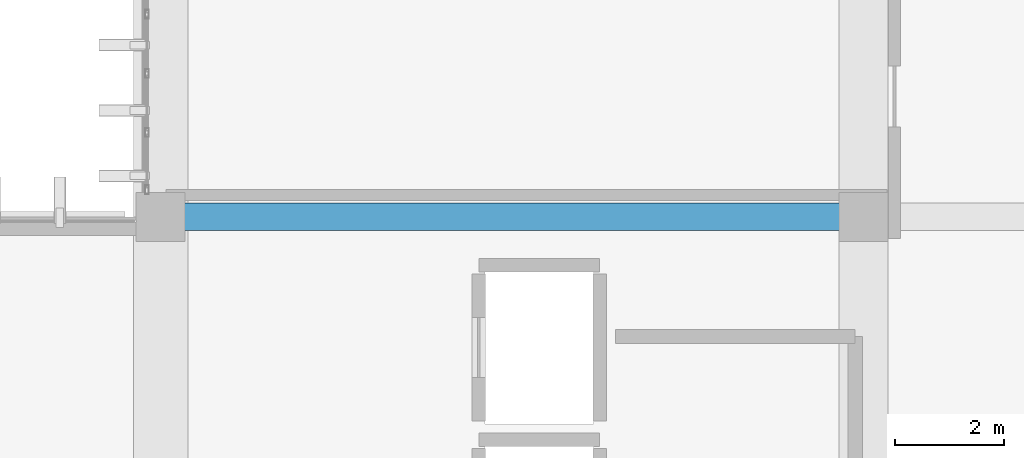
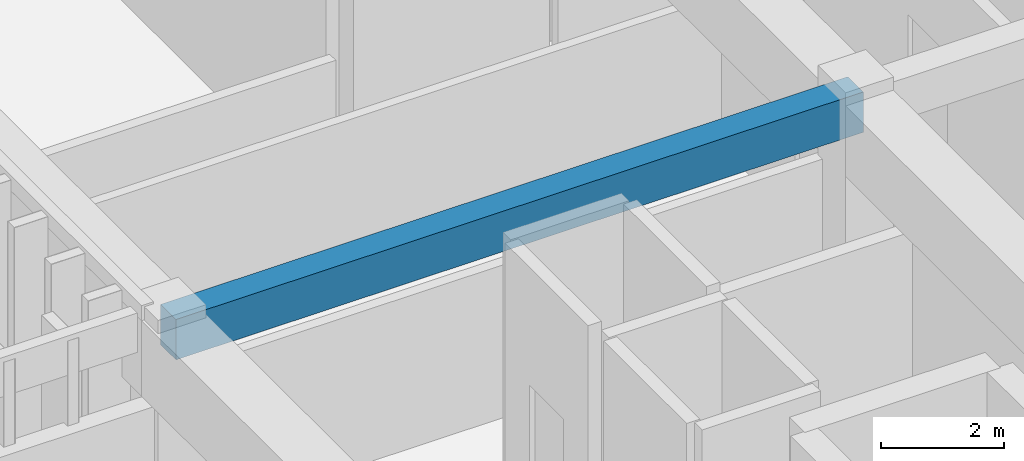
# One storey, part 52 of 101: 1 beam.
"""IFC4 building model written with IfcOpenShell, lengths in metres."""

from ifc_helpers import new_model, si_unit, direction, frame, origin, origin_2d, place, context, subcontext, project, spatial, rectangle, extrude, material, material_profile, profile_set, type_object, element, save


model = new_model("IFC4")

# Units and contexts
model_context = context("Model", 3, precision=1e-05, world=origin(), true_north=direction((0.0, 1.0)))
body_context = subcontext(model_context, "Body", "Model", "MODEL_VIEW")
ifc_project = project(units=[si_unit("LENGTHUNIT", "METRE"), si_unit("AREAUNIT", "SQUARE_METRE"), si_unit("VOLUMEUNIT", "CUBIC_METRE"), si_unit("PLANEANGLEUNIT", "RADIAN"), si_unit("MASSUNIT", "GRAM", prefix="KILO")], contexts=[model_context])

# Site, building, storey
site_placement = place(None, origin())
site = spatial("IfcSite", under=ifc_project, at=site_placement, CompositionType="ELEMENT")
building_placement = place(site_placement, origin())
building = spatial("IfcBuilding", under=site, at=building_placement, Name="Nakhvara Creek Congress Hotel", CompositionType="ELEMENT")
storey_placement = place(building_placement, frame((0.0, 0.0, 16.199951171875)))
storey = spatial("IfcBuildingStorey", under=building, at=storey_placement, Name="L03", CompositionType="ELEMENT", Elevation=16.199951171875)

# Beam
ifc_material = material(Name="Concrete C40/50", Category="concrete")
ifc_material_profile = material_profile(ifc_material, rectangle(XDim=0.5, YDim=0.800048828125, at=origin_2d()), Name="RC-BM 500x800", Category="LoadBearing")
ifc_profile_set = profile_set([ifc_material_profile], Name="Concrete C40/50")
beam_type = type_object("IfcBeamType", Name="BM-RC-500X800", PredefinedType="BEAM", material=ifc_profile_set)
beam_placement = place(storey_placement, frame((149.449951171875, 96.0, 4.14013671875), z_axis=(1.0, 0.0, 0.0), x_axis=(0.0, 1.0, 0.0)))
element("IfcBeam", 1, at=beam_placement, inside=storey, type_object=beam_type, Name="Beam B03-L03-1839", PredefinedType="BEAM", context=body_context, shape_type="SweptSolid", body=[
    extrude(rectangle(XDim=0.5, YDim=0.800048828125, at=origin_2d()), origin(), (0.0, 0.0, 1.0), 12.900146484375),
])

save(model, "model.ifc")
